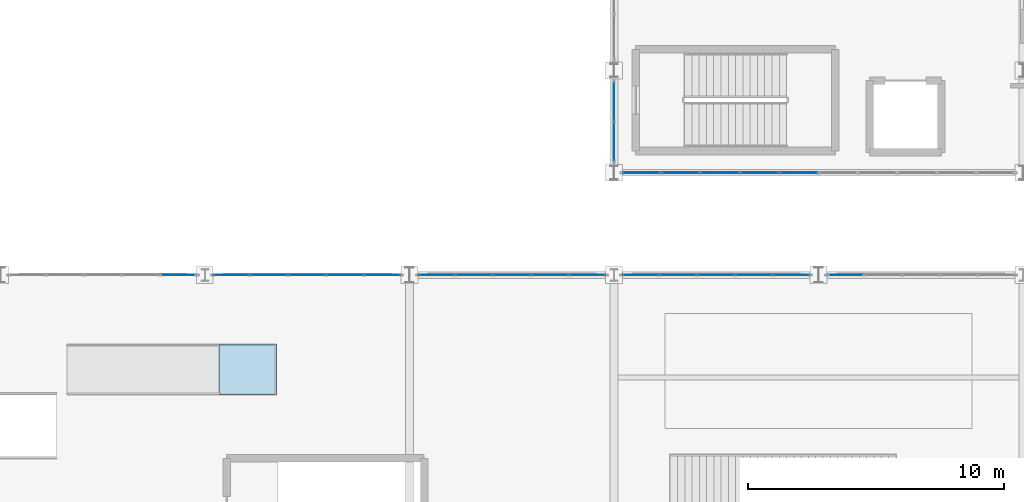
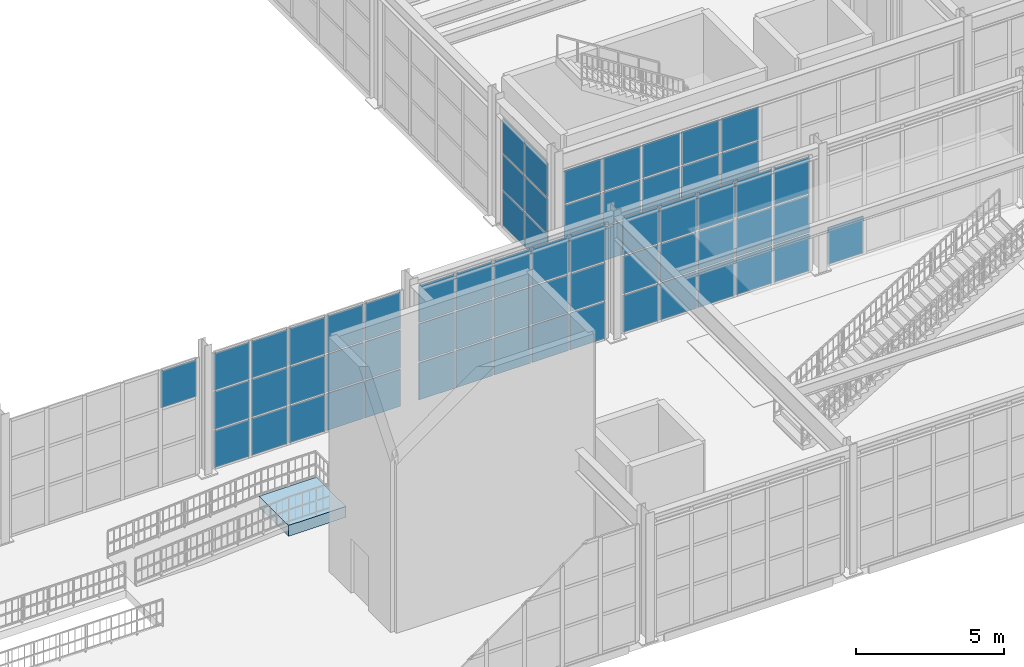
# One storey, part 55 of 82: 68 plates, 1 slab, 7 elements without a shape of their own.
"""IFC4 building model written with IfcOpenShell, lengths in metres."""

from ifc_helpers import new_model, si_unit, direction, frame, origin, origin_2d, place, context, subcontext, project, spatial, polyline, rectangle, outline, extrude, material, layer, layer_set, type_object, element, aggregate, save


model = new_model("IFC4")

# Units and contexts
model_context = context("Model", 3, precision=1e-05, world=origin(), true_north=direction((0.0, 1.0)))
body_context = subcontext(model_context, "Body", "Model", "MODEL_VIEW")
ifc_project = project(units=[si_unit("LENGTHUNIT", "METRE"), si_unit("AREAUNIT", "SQUARE_METRE"), si_unit("VOLUMEUNIT", "CUBIC_METRE"), si_unit("PLANEANGLEUNIT", "RADIAN"), si_unit("MASSUNIT", "GRAM", prefix="KILO")], contexts=[model_context])

# Site, building, storey
site_placement = place(None, origin())
site = spatial("IfcSite", under=ifc_project, at=site_placement, CompositionType="ELEMENT")
building_placement = place(site_placement, origin())
building = spatial("IfcBuilding", under=site, at=building_placement, Name="Serraluz Foothill Cableway Terminal", CompositionType="ELEMENT")
storey_placement = place(building_placement, frame((0.0, 0.0, 9.60009765625)))
storey = spatial("IfcBuildingStorey", under=building, at=storey_placement, Name="L02", CompositionType="ELEMENT", Elevation=9.60009765625)

# Curtain wall, plate
ifc_material_1 = material(Name="Architectural bronze alloy C28000", Category="aluminium")
curtain_wall_type_1 = type_object("IfcCurtainWallType", Name="TYP-CW-640X440", PredefinedType="NOTDEFINED", material=ifc_material_1)
curtain_wall_1_placement = place(storey_placement, origin())
curtain_wall_1 = element("IfcCurtainWall", 1, at=curtain_wall_1_placement, inside=storey, type_object=curtain_wall_type_1, Name="Ribbed Glazed Curtain Wall CW-V1N-L02-56", PredefinedType="NOTDEFINED")
ifc_material_2 = material(Name="Translucent ribbed laminated channel glass", Category="glass")
ifc_layer_1 = layer(ifc_material_2, 0.028076171875, Name="Translucent ribbed laminated channel glass", Category="glass")
ifc_layer_set_1 = layer_set([ifc_layer_1], Name="Translucent ribbed laminated channel glass")
plate_type = type_object("IfcPlateType", Name="TYP-CW-PNL-28", PredefinedType="CURTAIN_PANEL", material=ifc_layer_set_1)
plate_1_placement = place(storey_placement, frame((62.9619140625, 72.0, 3.26318359375), z_axis=(0.0, 0.0, 1.0), x_axis=(1.0, 0.0, 0.0)))
plate_1 = element("IfcPlate", 2, at=plate_1_placement, type_object=plate_type, Name="CW-12 panel 5.3", PredefinedType="CURTAIN_PANEL", context=body_context, shape_type="SweptSolid", body=[
    extrude(rectangle(XDim=1.393310546875, YDim=0.028076171875, at=origin_2d()), origin(), (0.0, 0.0, 1.0), 1.526611328125),
])
aggregate(curtain_wall_1, [plate_1])

# Curtain wall, plates
curtain_wall_type_2 = type_object("IfcCurtainWallType", Name="TYP-CW-680X420", PredefinedType="NOTDEFINED", material=ifc_material_1)
curtain_wall_2_placement = place(storey_placement, origin())
curtain_wall_2 = element("IfcCurtainWall", 3, at=curtain_wall_2_placement, inside=storey, type_object=curtain_wall_type_2, Name="Ribbed Glazed Curtain Wall CW-V1N-L02-64", PredefinedType="NOTDEFINED")
plate_2_placement = place(storey_placement, frame((65.0380859375, 72.0, 0.06005859375), z_axis=(0.0, 0.0, 1.0), x_axis=(1.0, 0.0, 0.0)))
plate_2 = element("IfcPlate", 4, at=plate_2_placement, type_object=plate_type, Name="CW-13 panel 1.1", PredefinedType="CURTAIN_PANEL", context=body_context, shape_type="SweptSolid", body=[
    extrude(rectangle(XDim=1.393310546875, YDim=0.028076171875, at=origin_2d()), origin(), (0.0, 0.0, 1.0), 1.526611328125),
])
plate_3_placement = place(storey_placement, frame((65.0380859375, 72.0, 1.646484375), z_axis=(0.0, 0.0, 1.0), x_axis=(1.0, 0.0, 0.0)))
plate_3 = element("IfcPlate", 5, at=plate_3_placement, type_object=plate_type, Name="CW-13 panel 1.2", PredefinedType="CURTAIN_PANEL", context=body_context, shape_type="SweptSolid", body=[
    extrude(rectangle(XDim=1.393310546875, YDim=0.028076171875, at=origin_2d()), origin(), (0.0, 0.0, 1.0), 1.556640625),
])
plate_4_placement = place(storey_placement, frame((65.0380859375, 72.0, 3.26318359375), z_axis=(0.0, 0.0, 1.0), x_axis=(1.0, 0.0, 0.0)))
plate_4 = element("IfcPlate", 6, at=plate_4_placement, type_object=plate_type, Name="CW-13 panel 1.3", PredefinedType="CURTAIN_PANEL", context=body_context, shape_type="SweptSolid", body=[
    extrude(rectangle(XDim=1.393310546875, YDim=0.028076171875, at=origin_2d()), origin(), (0.0, 0.0, 1.0), 1.526611328125),
])
plate_5_placement = place(storey_placement, frame((66.50634765625, 72.0, 0.06005859375), z_axis=(0.0, 0.0, 1.0), x_axis=(1.0, 0.0, 0.0)))
plate_5 = element("IfcPlate", 7, at=plate_5_placement, type_object=plate_type, Name="CW-13 panel 2.1", PredefinedType="CURTAIN_PANEL", context=body_context, shape_type="SweptSolid", body=[
    extrude(rectangle(XDim=1.423095703125, YDim=0.028076171875, at=origin_2d()), origin(), (0.0, 0.0, 1.0), 1.526611328125),
])
plate_6_placement = place(storey_placement, frame((66.50634765625, 72.0, 1.646484375), z_axis=(0.0, 0.0, 1.0), x_axis=(1.0, 0.0, 0.0)))
plate_6 = element("IfcPlate", 8, at=plate_6_placement, type_object=plate_type, Name="CW-13 panel 2.2", PredefinedType="CURTAIN_PANEL", context=body_context, shape_type="SweptSolid", body=[
    extrude(rectangle(XDim=1.423095703125, YDim=0.028076171875, at=origin_2d()), origin(), (0.0, 0.0, 1.0), 1.556640625),
])
plate_7_placement = place(storey_placement, frame((66.50634765625, 72.0, 3.26318359375), z_axis=(0.0, 0.0, 1.0), x_axis=(1.0, 0.0, 0.0)))
plate_7 = element("IfcPlate", 9, at=plate_7_placement, type_object=plate_type, Name="CW-13 panel 2.3", PredefinedType="CURTAIN_PANEL", context=body_context, shape_type="SweptSolid", body=[
    extrude(rectangle(XDim=1.423095703125, YDim=0.028076171875, at=origin_2d()), origin(), (0.0, 0.0, 1.0), 1.526611328125),
])
plate_8_placement = place(storey_placement, frame((67.989501953125, 72.0, 0.06005859375), z_axis=(0.0, 0.0, 1.0), x_axis=(1.0, 0.0, 0.0)))
plate_8 = element("IfcPlate", 10, at=plate_8_placement, type_object=plate_type, Name="CW-13 panel 3.1", PredefinedType="CURTAIN_PANEL", context=body_context, shape_type="SweptSolid", body=[
    extrude(rectangle(XDim=1.423095703125, YDim=0.028076171875, at=origin_2d()), origin(), (0.0, 0.0, 1.0), 1.526611328125),
])
plate_9_placement = place(storey_placement, frame((67.989501953125, 72.0, 1.646484375), z_axis=(0.0, 0.0, 1.0), x_axis=(1.0, 0.0, 0.0)))
plate_9 = element("IfcPlate", 11, at=plate_9_placement, type_object=plate_type, Name="CW-13 panel 3.2", PredefinedType="CURTAIN_PANEL", context=body_context, shape_type="SweptSolid", body=[
    extrude(rectangle(XDim=1.423095703125, YDim=0.028076171875, at=origin_2d()), origin(), (0.0, 0.0, 1.0), 1.556640625),
])
plate_10_placement = place(storey_placement, frame((67.989501953125, 72.0, 3.26318359375), z_axis=(0.0, 0.0, 1.0), x_axis=(1.0, 0.0, 0.0)))
plate_10 = element("IfcPlate", 12, at=plate_10_placement, type_object=plate_type, Name="CW-13 panel 3.3", PredefinedType="CURTAIN_PANEL", context=body_context, shape_type="SweptSolid", body=[
    extrude(rectangle(XDim=1.423095703125, YDim=0.028076171875, at=origin_2d()), origin(), (0.0, 0.0, 1.0), 1.526611328125),
])
plate_11_placement = place(storey_placement, frame((69.47265625, 72.0, 0.06005859375), z_axis=(0.0, 0.0, 1.0), x_axis=(1.0, 0.0, 0.0)))
plate_11 = element("IfcPlate", 13, at=plate_11_placement, type_object=plate_type, Name="CW-13 panel 4.1", PredefinedType="CURTAIN_PANEL", context=body_context, shape_type="SweptSolid", body=[
    extrude(rectangle(XDim=1.423095703125, YDim=0.028076171875, at=origin_2d()), origin(), (0.0, 0.0, 1.0), 1.526611328125),
])
plate_12_placement = place(storey_placement, frame((69.47265625, 72.0, 1.646484375), z_axis=(0.0, 0.0, 1.0), x_axis=(1.0, 0.0, 0.0)))
plate_12 = element("IfcPlate", 14, at=plate_12_placement, type_object=plate_type, Name="CW-13 panel 4.2", PredefinedType="CURTAIN_PANEL", context=body_context, shape_type="SweptSolid", body=[
    extrude(rectangle(XDim=1.423095703125, YDim=0.028076171875, at=origin_2d()), origin(), (0.0, 0.0, 1.0), 1.556640625),
])
plate_13_placement = place(storey_placement, frame((69.47265625, 72.0, 3.26318359375), z_axis=(0.0, 0.0, 1.0), x_axis=(1.0, 0.0, 0.0)))
plate_13 = element("IfcPlate", 15, at=plate_13_placement, type_object=plate_type, Name="CW-13 panel 4.3", PredefinedType="CURTAIN_PANEL", context=body_context, shape_type="SweptSolid", body=[
    extrude(rectangle(XDim=1.423095703125, YDim=0.028076171875, at=origin_2d()), origin(), (0.0, 0.0, 1.0), 1.526611328125),
])
plate_14_placement = place(storey_placement, frame((70.94091796875, 72.0, 0.06005859375), z_axis=(0.0, 0.0, 1.0), x_axis=(1.0, 0.0, 0.0)))
plate_14 = element("IfcPlate", 16, at=plate_14_placement, type_object=plate_type, Name="CW-13 panel 5.1", PredefinedType="CURTAIN_PANEL", context=body_context, shape_type="SweptSolid", body=[
    extrude(rectangle(XDim=1.393310546875, YDim=0.028076171875, at=origin_2d()), origin(), (0.0, 0.0, 1.0), 1.526611328125),
])
plate_15_placement = place(storey_placement, frame((70.94091796875, 72.0, 1.646484375), z_axis=(0.0, 0.0, 1.0), x_axis=(1.0, 0.0, 0.0)))
plate_15 = element("IfcPlate", 17, at=plate_15_placement, type_object=plate_type, Name="CW-13 panel 5.2", PredefinedType="CURTAIN_PANEL", context=body_context, shape_type="SweptSolid", body=[
    extrude(rectangle(XDim=1.393310546875, YDim=0.028076171875, at=origin_2d()), origin(), (0.0, 0.0, 1.0), 1.556640625),
])
plate_16_placement = place(storey_placement, frame((70.94091796875, 72.0, 3.26318359375), z_axis=(0.0, 0.0, 1.0), x_axis=(1.0, 0.0, 0.0)))
plate_16 = element("IfcPlate", 18, at=plate_16_placement, type_object=plate_type, Name="CW-13 panel 5.3", PredefinedType="CURTAIN_PANEL", context=body_context, shape_type="SweptSolid", body=[
    extrude(rectangle(XDim=1.393310546875, YDim=0.028076171875, at=origin_2d()), origin(), (0.0, 0.0, 1.0), 1.526611328125),
])
aggregate(curtain_wall_2, [plate_2, plate_3, plate_4, plate_5, plate_6, plate_7, plate_8, plate_9, plate_10, plate_11, plate_12, plate_13, plate_14, plate_15, plate_16])

curtain_wall_type_3 = type_object("IfcCurtainWallType", Name="TYP-CW-480X380", PredefinedType="NOTDEFINED", material=ifc_material_1)
curtain_wall_3_placement = place(storey_placement, origin())
curtain_wall_3 = element("IfcCurtainWall", 19, at=curtain_wall_3_placement, inside=storey, type_object=curtain_wall_type_3, Name="Ribbed Glazed Curtain Wall CW-V1N-L02-72", PredefinedType="NOTDEFINED")
plate_17_placement = place(storey_placement, frame((73.05908203125, 72.0, 0.06005859375), z_axis=(0.0, 0.0, 1.0), x_axis=(1.0, 0.0, 0.0)))
plate_17 = element("IfcPlate", 20, at=plate_17_placement, type_object=plate_type, Name="CW-14 panel 1.1", PredefinedType="CURTAIN_PANEL", context=body_context, shape_type="SweptSolid", body=[
    extrude(rectangle(XDim=1.393310546875, YDim=0.028076171875, at=origin_2d()), origin(), (0.0, 0.0, 1.0), 1.526611328125),
])
plate_18_placement = place(storey_placement, frame((73.05908203125, 72.0, 1.646484375), z_axis=(0.0, 0.0, 1.0), x_axis=(1.0, 0.0, 0.0)))
plate_18 = element("IfcPlate", 21, at=plate_18_placement, type_object=plate_type, Name="CW-14 panel 1.2", PredefinedType="CURTAIN_PANEL", context=body_context, shape_type="SweptSolid", body=[
    extrude(rectangle(XDim=1.393310546875, YDim=0.028076171875, at=origin_2d()), origin(), (0.0, 0.0, 1.0), 1.556640625),
])
plate_19_placement = place(storey_placement, frame((73.05908203125, 72.0, 3.26318359375), z_axis=(0.0, 0.0, 1.0), x_axis=(1.0, 0.0, 0.0)))
plate_19 = element("IfcPlate", 22, at=plate_19_placement, type_object=plate_type, Name="CW-14 panel 1.3", PredefinedType="CURTAIN_PANEL", context=body_context, shape_type="SweptSolid", body=[
    extrude(rectangle(XDim=1.393310546875, YDim=0.028076171875, at=origin_2d()), origin(), (0.0, 0.0, 1.0), 1.526611328125),
])
plate_20_placement = place(storey_placement, frame((74.52734375, 72.0, 0.06005859375), z_axis=(0.0, 0.0, 1.0), x_axis=(1.0, 0.0, 0.0)))
plate_20 = element("IfcPlate", 23, at=plate_20_placement, type_object=plate_type, Name="CW-14 panel 2.1", PredefinedType="CURTAIN_PANEL", context=body_context, shape_type="SweptSolid", body=[
    extrude(rectangle(XDim=1.423095703125, YDim=0.028076171875, at=origin_2d()), origin(), (0.0, 0.0, 1.0), 1.526611328125),
])
plate_21_placement = place(storey_placement, frame((74.52734375, 72.0, 1.646484375), z_axis=(0.0, 0.0, 1.0), x_axis=(1.0, 0.0, 0.0)))
plate_21 = element("IfcPlate", 24, at=plate_21_placement, type_object=plate_type, Name="CW-14 panel 2.2", PredefinedType="CURTAIN_PANEL", context=body_context, shape_type="SweptSolid", body=[
    extrude(rectangle(XDim=1.423095703125, YDim=0.028076171875, at=origin_2d()), origin(), (0.0, 0.0, 1.0), 1.556640625),
])
plate_22_placement = place(storey_placement, frame((74.52734375, 72.0, 3.26318359375), z_axis=(0.0, 0.0, 1.0), x_axis=(1.0, 0.0, 0.0)))
plate_22 = element("IfcPlate", 25, at=plate_22_placement, type_object=plate_type, Name="CW-14 panel 2.3", PredefinedType="CURTAIN_PANEL", context=body_context, shape_type="SweptSolid", body=[
    extrude(rectangle(XDim=1.423095703125, YDim=0.028076171875, at=origin_2d()), origin(), (0.0, 0.0, 1.0), 1.526611328125),
])
plate_23_placement = place(storey_placement, frame((76.010498046875, 72.0, 0.06005859375), z_axis=(0.0, 0.0, 1.0), x_axis=(1.0, 0.0, 0.0)))
plate_23 = element("IfcPlate", 26, at=plate_23_placement, type_object=plate_type, Name="CW-14 panel 3.1", PredefinedType="CURTAIN_PANEL", context=body_context, shape_type="SweptSolid", body=[
    extrude(rectangle(XDim=1.423095703125, YDim=0.028076171875, at=origin_2d()), origin(), (0.0, 0.0, 1.0), 1.526611328125),
])
plate_24_placement = place(storey_placement, frame((76.010498046875, 72.0, 1.646484375), z_axis=(0.0, 0.0, 1.0), x_axis=(1.0, 0.0, 0.0)))
plate_24 = element("IfcPlate", 27, at=plate_24_placement, type_object=plate_type, Name="CW-14 panel 3.2", PredefinedType="CURTAIN_PANEL", context=body_context, shape_type="SweptSolid", body=[
    extrude(rectangle(XDim=1.423095703125, YDim=0.028076171875, at=origin_2d()), origin(), (0.0, 0.0, 1.0), 1.556640625),
])
plate_25_placement = place(storey_placement, frame((76.010498046875, 72.0, 3.26318359375), z_axis=(0.0, 0.0, 1.0), x_axis=(1.0, 0.0, 0.0)))
plate_25 = element("IfcPlate", 28, at=plate_25_placement, type_object=plate_type, Name="CW-14 panel 3.3", PredefinedType="CURTAIN_PANEL", context=body_context, shape_type="SweptSolid", body=[
    extrude(rectangle(XDim=1.423095703125, YDim=0.028076171875, at=origin_2d()), origin(), (0.0, 0.0, 1.0), 1.526611328125),
])
plate_26_placement = place(storey_placement, frame((77.49365234375, 72.0, 0.06005859375), z_axis=(0.0, 0.0, 1.0), x_axis=(1.0, 0.0, 0.0)))
plate_26 = element("IfcPlate", 29, at=plate_26_placement, type_object=plate_type, Name="CW-14 panel 4.1", PredefinedType="CURTAIN_PANEL", context=body_context, shape_type="SweptSolid", body=[
    extrude(rectangle(XDim=1.423095703125, YDim=0.028076171875, at=origin_2d()), origin(), (0.0, 0.0, 1.0), 1.526611328125),
])
plate_27_placement = place(storey_placement, frame((77.49365234375, 72.0, 1.646484375), z_axis=(0.0, 0.0, 1.0), x_axis=(1.0, 0.0, 0.0)))
plate_27 = element("IfcPlate", 30, at=plate_27_placement, type_object=plate_type, Name="CW-14 panel 4.2", PredefinedType="CURTAIN_PANEL", context=body_context, shape_type="SweptSolid", body=[
    extrude(rectangle(XDim=1.423095703125, YDim=0.028076171875, at=origin_2d()), origin(), (0.0, 0.0, 1.0), 1.556640625),
])
plate_28_placement = place(storey_placement, frame((77.49365234375, 72.0, 3.26318359375), z_axis=(0.0, 0.0, 1.0), x_axis=(1.0, 0.0, 0.0)))
plate_28 = element("IfcPlate", 31, at=plate_28_placement, type_object=plate_type, Name="CW-14 panel 4.3", PredefinedType="CURTAIN_PANEL", context=body_context, shape_type="SweptSolid", body=[
    extrude(rectangle(XDim=1.423095703125, YDim=0.028076171875, at=origin_2d()), origin(), (0.0, 0.0, 1.0), 1.526611328125),
])
plate_29_placement = place(storey_placement, frame((78.9619140625, 72.0, 0.06005859375), z_axis=(0.0, 0.0, 1.0), x_axis=(1.0, 0.0, 0.0)))
plate_29 = element("IfcPlate", 32, at=plate_29_placement, type_object=plate_type, Name="CW-14 panel 5.1", PredefinedType="CURTAIN_PANEL", context=body_context, shape_type="SweptSolid", body=[
    extrude(rectangle(XDim=1.393310546875, YDim=0.028076171875, at=origin_2d()), origin(), (0.0, 0.0, 1.0), 1.526611328125),
])
plate_30_placement = place(storey_placement, frame((78.9619140625, 72.0, 1.646484375), z_axis=(0.0, 0.0, 1.0), x_axis=(1.0, 0.0, 0.0)))
plate_30 = element("IfcPlate", 33, at=plate_30_placement, type_object=plate_type, Name="CW-14 panel 5.2", PredefinedType="CURTAIN_PANEL", context=body_context, shape_type="SweptSolid", body=[
    extrude(rectangle(XDim=1.393310546875, YDim=0.028076171875, at=origin_2d()), origin(), (0.0, 0.0, 1.0), 1.556640625),
])
plate_31_placement = place(storey_placement, frame((78.9619140625, 72.0, 3.26318359375), z_axis=(0.0, 0.0, 1.0), x_axis=(1.0, 0.0, 0.0)))
plate_31 = element("IfcPlate", 34, at=plate_31_placement, type_object=plate_type, Name="CW-14 panel 5.3", PredefinedType="CURTAIN_PANEL", context=body_context, shape_type="SweptSolid", body=[
    extrude(rectangle(XDim=1.393310546875, YDim=0.028076171875, at=origin_2d()), origin(), (0.0, 0.0, 1.0), 1.526611328125),
])
aggregate(curtain_wall_3, [plate_17, plate_18, plate_19, plate_20, plate_21, plate_22, plate_23, plate_24, plate_25, plate_26, plate_27, plate_28, plate_29, plate_30, plate_31])

curtain_wall_type_4 = type_object("IfcCurtainWallType", Name="TYP-CW-480X420", PredefinedType="NOTDEFINED", material=ifc_material_1)
curtain_wall_4_placement = place(storey_placement, origin())
curtain_wall_4 = element("IfcCurtainWall", 35, at=curtain_wall_4_placement, inside=storey, type_object=curtain_wall_type_4, Name="Ribbed Glazed Curtain Wall CW-V1N-L02-80", PredefinedType="NOTDEFINED")
plate_32_placement = place(storey_placement, frame((81.0380859375, 72.0, 0.06005859375), z_axis=(0.0, 0.0, 1.0), x_axis=(1.0, 0.0, 0.0)))
plate_32 = element("IfcPlate", 36, at=plate_32_placement, type_object=plate_type, Name="CW-15 panel 1.1", PredefinedType="CURTAIN_PANEL", context=body_context, shape_type="SweptSolid", body=[
    extrude(rectangle(XDim=1.393310546875, YDim=0.028076171875, at=origin_2d()), origin(), (0.0, 0.0, 1.0), 1.526611328125),
])
plate_33_placement = place(storey_placement, frame((81.0380859375, 72.0, 1.646484375), z_axis=(0.0, 0.0, 1.0), x_axis=(1.0, 0.0, 0.0)))
plate_33 = element("IfcPlate", 37, at=plate_33_placement, type_object=plate_type, Name="CW-15 panel 1.2", PredefinedType="CURTAIN_PANEL", context=body_context, shape_type="SweptSolid", body=[
    extrude(rectangle(XDim=1.393310546875, YDim=0.028076171875, at=origin_2d()), origin(), (0.0, 0.0, 1.0), 1.556640625),
])
plate_34_placement = place(storey_placement, frame((81.0380859375, 72.0, 3.26318359375), z_axis=(0.0, 0.0, 1.0), x_axis=(1.0, 0.0, 0.0)))
plate_34 = element("IfcPlate", 38, at=plate_34_placement, type_object=plate_type, Name="CW-15 panel 1.3", PredefinedType="CURTAIN_PANEL", context=body_context, shape_type="SweptSolid", body=[
    extrude(rectangle(XDim=1.393310546875, YDim=0.028076171875, at=origin_2d()), origin(), (0.0, 0.0, 1.0), 1.526611328125),
])
plate_35_placement = place(storey_placement, frame((82.50634765625, 72.0, 0.06005859375), z_axis=(0.0, 0.0, 1.0), x_axis=(1.0, 0.0, 0.0)))
plate_35 = element("IfcPlate", 39, at=plate_35_placement, type_object=plate_type, Name="CW-15 panel 2.1", PredefinedType="CURTAIN_PANEL", context=body_context, shape_type="SweptSolid", body=[
    extrude(rectangle(XDim=1.423095703125, YDim=0.028076171875, at=origin_2d()), origin(), (0.0, 0.0, 1.0), 1.526611328125),
])
plate_36_placement = place(storey_placement, frame((82.50634765625, 72.0, 1.646484375), z_axis=(0.0, 0.0, 1.0), x_axis=(1.0, 0.0, 0.0)))
plate_36 = element("IfcPlate", 40, at=plate_36_placement, type_object=plate_type, Name="CW-15 panel 2.2", PredefinedType="CURTAIN_PANEL", context=body_context, shape_type="SweptSolid", body=[
    extrude(rectangle(XDim=1.423095703125, YDim=0.028076171875, at=origin_2d()), origin(), (0.0, 0.0, 1.0), 1.556640625),
])
plate_37_placement = place(storey_placement, frame((82.50634765625, 72.0, 3.26318359375), z_axis=(0.0, 0.0, 1.0), x_axis=(1.0, 0.0, 0.0)))
plate_37 = element("IfcPlate", 41, at=plate_37_placement, type_object=plate_type, Name="CW-15 panel 2.3", PredefinedType="CURTAIN_PANEL", context=body_context, shape_type="SweptSolid", body=[
    extrude(rectangle(XDim=1.423095703125, YDim=0.028076171875, at=origin_2d()), origin(), (0.0, 0.0, 1.0), 1.526611328125),
])
plate_38_placement = place(storey_placement, frame((83.989501953125, 72.0, 0.06005859375), z_axis=(0.0, 0.0, 1.0), x_axis=(1.0, 0.0, 0.0)))
plate_38 = element("IfcPlate", 42, at=plate_38_placement, type_object=plate_type, Name="CW-15 panel 3.1", PredefinedType="CURTAIN_PANEL", context=body_context, shape_type="SweptSolid", body=[
    extrude(rectangle(XDim=1.423095703125, YDim=0.028076171875, at=origin_2d()), origin(), (0.0, 0.0, 1.0), 1.526611328125),
])
plate_39_placement = place(storey_placement, frame((83.989501953125, 72.0, 1.646484375), z_axis=(0.0, 0.0, 1.0), x_axis=(1.0, 0.0, 0.0)))
plate_39 = element("IfcPlate", 43, at=plate_39_placement, type_object=plate_type, Name="CW-15 panel 3.2", PredefinedType="CURTAIN_PANEL", context=body_context, shape_type="SweptSolid", body=[
    extrude(rectangle(XDim=1.423095703125, YDim=0.028076171875, at=origin_2d()), origin(), (0.0, 0.0, 1.0), 1.556640625),
])
plate_40_placement = place(storey_placement, frame((83.989501953125, 72.0, 3.26318359375), z_axis=(0.0, 0.0, 1.0), x_axis=(1.0, 0.0, 0.0)))
plate_40 = element("IfcPlate", 44, at=plate_40_placement, type_object=plate_type, Name="CW-15 panel 3.3", PredefinedType="CURTAIN_PANEL", context=body_context, shape_type="SweptSolid", body=[
    extrude(rectangle(XDim=1.423095703125, YDim=0.028076171875, at=origin_2d()), origin(), (0.0, 0.0, 1.0), 1.526611328125),
])
plate_41_placement = place(storey_placement, frame((85.47265625, 72.0, 0.06005859375), z_axis=(0.0, 0.0, 1.0), x_axis=(1.0, 0.0, 0.0)))
plate_41 = element("IfcPlate", 45, at=plate_41_placement, type_object=plate_type, Name="CW-15 panel 4.1", PredefinedType="CURTAIN_PANEL", context=body_context, shape_type="SweptSolid", body=[
    extrude(rectangle(XDim=1.423095703125, YDim=0.028076171875, at=origin_2d()), origin(), (0.0, 0.0, 1.0), 1.526611328125),
])
plate_42_placement = place(storey_placement, frame((85.47265625, 72.0, 1.646484375), z_axis=(0.0, 0.0, 1.0), x_axis=(1.0, 0.0, 0.0)))
plate_42 = element("IfcPlate", 46, at=plate_42_placement, type_object=plate_type, Name="CW-15 panel 4.2", PredefinedType="CURTAIN_PANEL", context=body_context, shape_type="SweptSolid", body=[
    extrude(rectangle(XDim=1.423095703125, YDim=0.028076171875, at=origin_2d()), origin(), (0.0, 0.0, 1.0), 1.556640625),
])
plate_43_placement = place(storey_placement, frame((85.47265625, 72.0, 3.26318359375), z_axis=(0.0, 0.0, 1.0), x_axis=(1.0, 0.0, 0.0)))
plate_43 = element("IfcPlate", 47, at=plate_43_placement, type_object=plate_type, Name="CW-15 panel 4.3", PredefinedType="CURTAIN_PANEL", context=body_context, shape_type="SweptSolid", body=[
    extrude(rectangle(XDim=1.423095703125, YDim=0.028076171875, at=origin_2d()), origin(), (0.0, 0.0, 1.0), 1.526611328125),
])
plate_44_placement = place(storey_placement, frame((86.94091796875, 72.0, 0.06005859375), z_axis=(0.0, 0.0, 1.0), x_axis=(1.0, 0.0, 0.0)))
plate_44 = element("IfcPlate", 48, at=plate_44_placement, type_object=plate_type, Name="CW-15 panel 5.1", PredefinedType="CURTAIN_PANEL", context=body_context, shape_type="SweptSolid", body=[
    extrude(rectangle(XDim=1.393310546875, YDim=0.028076171875, at=origin_2d()), origin(), (0.0, 0.0, 1.0), 1.526611328125),
])
plate_45_placement = place(storey_placement, frame((86.94091796875, 72.0, 1.646484375), z_axis=(0.0, 0.0, 1.0), x_axis=(1.0, 0.0, 0.0)))
plate_45 = element("IfcPlate", 49, at=plate_45_placement, type_object=plate_type, Name="CW-15 panel 5.2", PredefinedType="CURTAIN_PANEL", context=body_context, shape_type="SweptSolid", body=[
    extrude(rectangle(XDim=1.393310546875, YDim=0.028076171875, at=origin_2d()), origin(), (0.0, 0.0, 1.0), 1.556640625),
])
plate_46_placement = place(storey_placement, frame((86.94091796875, 72.0, 3.26318359375), z_axis=(0.0, 0.0, 1.0), x_axis=(1.0, 0.0, 0.0)))
plate_46 = element("IfcPlate", 50, at=plate_46_placement, type_object=plate_type, Name="CW-15 panel 5.3", PredefinedType="CURTAIN_PANEL", context=body_context, shape_type="SweptSolid", body=[
    extrude(rectangle(XDim=1.393310546875, YDim=0.028076171875, at=origin_2d()), origin(), (0.0, 0.0, 1.0), 1.526611328125),
])
aggregate(curtain_wall_4, [plate_32, plate_33, plate_34, plate_35, plate_36, plate_37, plate_38, plate_39, plate_40, plate_41, plate_42, plate_43, plate_44, plate_45, plate_46])

# Curtain wall, plate
curtain_wall_type_5 = type_object("IfcCurtainWallType", Name="TYP-CW-440X360", PredefinedType="NOTDEFINED", material=ifc_material_1)
curtain_wall_5_placement = place(storey_placement, origin())
curtain_wall_5 = element("IfcCurtainWall", 51, at=curtain_wall_5_placement, inside=storey, type_object=curtain_wall_type_5, Name="Ribbed Glazed Curtain Wall CW-V1N-L02-88", PredefinedType="NOTDEFINED")
plate_47_placement = place(storey_placement, frame((89.05908203125, 72.0, 0.06005859375), z_axis=(0.0, 0.0, 1.0), x_axis=(1.0, 0.0, 0.0)))
plate_47 = element("IfcPlate", 52, at=plate_47_placement, type_object=plate_type, Name="CW-16 panel 1.1", PredefinedType="CURTAIN_PANEL", context=body_context, shape_type="SweptSolid", body=[
    extrude(rectangle(XDim=1.393310546875, YDim=0.028076171875, at=origin_2d()), origin(), (0.0, 0.0, 1.0), 1.526611328125),
])
aggregate(curtain_wall_5, [plate_47])

# Curtain wall, plates
curtain_wall_6_placement = place(storey_placement, origin())
curtain_wall_6 = element("IfcCurtainWall", 53, at=curtain_wall_6_placement, inside=storey, type_object=curtain_wall_type_2, Name="Ribbed Glazed Curtain Wall CW-V4S-L02-80", PredefinedType="NOTDEFINED")
plate_48_placement = place(storey_placement, frame((87.2294921875, 76.0, 0.059814453125), z_axis=(0.0, 0.0, 1.0), x_axis=(-1.0, 0.0, 0.0)))
plate_48 = element("IfcPlate", 54, at=plate_48_placement, type_object=plate_type, Name="CW-13 panel 6.1", PredefinedType="CURTAIN_PANEL", context=body_context, shape_type="SweptSolid", body=[
    extrude(rectangle(XDim=1.480712890625, YDim=0.028076171875, at=origin_2d()), origin(), (0.0, 0.0, 1.0), 1.3701171875),
])
plate_49_placement = place(storey_placement, frame((87.2294921875, 76.0, 1.489990234375), z_axis=(0.0, 0.0, 1.0), x_axis=(-1.0, 0.0, 0.0)))
plate_49 = element("IfcPlate", 55, at=plate_49_placement, type_object=plate_type, Name="CW-13 panel 6.2", PredefinedType="CURTAIN_PANEL", context=body_context, shape_type="SweptSolid", body=[
    extrude(rectangle(XDim=1.480712890625, YDim=0.028076171875, at=origin_2d()), origin(), (0.0, 0.0, 1.0), 1.39990234375),
])
plate_50_placement = place(storey_placement, frame((87.2294921875, 76.0, 2.949951171875), z_axis=(0.0, 0.0, 1.0), x_axis=(-1.0, 0.0, 0.0)))
plate_50 = element("IfcPlate", 56, at=plate_50_placement, type_object=plate_type, Name="CW-13 panel 6.3", PredefinedType="CURTAIN_PANEL", context=body_context, shape_type="SweptSolid", body=[
    extrude(rectangle(XDim=1.480712890625, YDim=0.028076171875, at=origin_2d()), origin(), (0.0, 0.0, 1.0), 1.3701171875),
])
plate_51_placement = place(storey_placement, frame((85.688720703125, 76.0, 0.059814453125), z_axis=(0.0, 0.0, 1.0), x_axis=(-1.0, 0.0, 0.0)))
plate_51 = element("IfcPlate", 57, at=plate_51_placement, type_object=plate_type, Name="CW-13 panel 7.1", PredefinedType="CURTAIN_PANEL", context=body_context, shape_type="SweptSolid", body=[
    extrude(rectangle(XDim=1.480712890625, YDim=0.028076171875, at=origin_2d()), origin(), (0.0, 0.0, 1.0), 1.3701171875),
])
plate_52_placement = place(storey_placement, frame((85.688720703125, 76.0, 1.489990234375), z_axis=(0.0, 0.0, 1.0), x_axis=(-1.0, 0.0, 0.0)))
plate_52 = element("IfcPlate", 58, at=plate_52_placement, type_object=plate_type, Name="CW-13 panel 7.2", PredefinedType="CURTAIN_PANEL", context=body_context, shape_type="SweptSolid", body=[
    extrude(rectangle(XDim=1.480712890625, YDim=0.028076171875, at=origin_2d()), origin(), (0.0, 0.0, 1.0), 1.39990234375),
])
plate_53_placement = place(storey_placement, frame((85.688720703125, 76.0, 2.949951171875), z_axis=(0.0, 0.0, 1.0), x_axis=(-1.0, 0.0, 0.0)))
plate_53 = element("IfcPlate", 59, at=plate_53_placement, type_object=plate_type, Name="CW-13 panel 7.3", PredefinedType="CURTAIN_PANEL", context=body_context, shape_type="SweptSolid", body=[
    extrude(rectangle(XDim=1.480712890625, YDim=0.028076171875, at=origin_2d()), origin(), (0.0, 0.0, 1.0), 1.3701171875),
])
plate_54_placement = place(storey_placement, frame((84.14794921875, 76.0, 0.059814453125), z_axis=(0.0, 0.0, 1.0), x_axis=(-1.0, 0.0, 0.0)))
plate_54 = element("IfcPlate", 60, at=plate_54_placement, type_object=plate_type, Name="CW-13 panel 8.1", PredefinedType="CURTAIN_PANEL", context=body_context, shape_type="SweptSolid", body=[
    extrude(rectangle(XDim=1.480712890625, YDim=0.028076171875, at=origin_2d()), origin(), (0.0, 0.0, 1.0), 1.3701171875),
])
plate_55_placement = place(storey_placement, frame((84.14794921875, 76.0, 1.489990234375), z_axis=(0.0, 0.0, 1.0), x_axis=(-1.0, 0.0, 0.0)))
plate_55 = element("IfcPlate", 61, at=plate_55_placement, type_object=plate_type, Name="CW-13 panel 8.2", PredefinedType="CURTAIN_PANEL", context=body_context, shape_type="SweptSolid", body=[
    extrude(rectangle(XDim=1.480712890625, YDim=0.028076171875, at=origin_2d()), origin(), (0.0, 0.0, 1.0), 1.39990234375),
])
plate_56_placement = place(storey_placement, frame((84.14794921875, 76.0, 2.949951171875), z_axis=(0.0, 0.0, 1.0), x_axis=(-1.0, 0.0, 0.0)))
plate_56 = element("IfcPlate", 62, at=plate_56_placement, type_object=plate_type, Name="CW-13 panel 8.3", PredefinedType="CURTAIN_PANEL", context=body_context, shape_type="SweptSolid", body=[
    extrude(rectangle(XDim=1.480712890625, YDim=0.028076171875, at=origin_2d()), origin(), (0.0, 0.0, 1.0), 1.3701171875),
])
plate_57_placement = place(storey_placement, frame((82.607177734375, 76.0, 0.059814453125), z_axis=(0.0, 0.0, 1.0), x_axis=(-1.0, 0.0, 0.0)))
plate_57 = element("IfcPlate", 63, at=plate_57_placement, type_object=plate_type, Name="CW-13 panel 9.1", PredefinedType="CURTAIN_PANEL", context=body_context, shape_type="SweptSolid", body=[
    extrude(rectangle(XDim=1.480712890625, YDim=0.028076171875, at=origin_2d()), origin(), (0.0, 0.0, 1.0), 1.3701171875),
])
plate_58_placement = place(storey_placement, frame((82.607177734375, 76.0, 1.489990234375), z_axis=(0.0, 0.0, 1.0), x_axis=(-1.0, 0.0, 0.0)))
plate_58 = element("IfcPlate", 64, at=plate_58_placement, type_object=plate_type, Name="CW-13 panel 9.2", PredefinedType="CURTAIN_PANEL", context=body_context, shape_type="SweptSolid", body=[
    extrude(rectangle(XDim=1.480712890625, YDim=0.028076171875, at=origin_2d()), origin(), (0.0, 0.0, 1.0), 1.39990234375),
])
plate_59_placement = place(storey_placement, frame((82.607177734375, 76.0, 2.949951171875), z_axis=(0.0, 0.0, 1.0), x_axis=(-1.0, 0.0, 0.0)))
plate_59 = element("IfcPlate", 65, at=plate_59_placement, type_object=plate_type, Name="CW-13 panel 9.3", PredefinedType="CURTAIN_PANEL", context=body_context, shape_type="SweptSolid", body=[
    extrude(rectangle(XDim=1.480712890625, YDim=0.028076171875, at=origin_2d()), origin(), (0.0, 0.0, 1.0), 1.3701171875),
])
plate_60_placement = place(storey_placement, frame((81.081298828125, 76.0, 0.059814453125), z_axis=(0.0, 0.0, 1.0), x_axis=(-1.0, 0.0, 0.0)))
plate_60 = element("IfcPlate", 66, at=plate_60_placement, type_object=plate_type, Name="CW-13 panel 10.1", PredefinedType="CURTAIN_PANEL", context=body_context, shape_type="SweptSolid", body=[
    extrude(rectangle(XDim=1.45068359375, YDim=0.028076171875, at=origin_2d()), origin(), (0.0, 0.0, 1.0), 1.3701171875),
])
plate_61_placement = place(storey_placement, frame((81.081298828125, 76.0, 1.489990234375), z_axis=(0.0, 0.0, 1.0), x_axis=(-1.0, 0.0, 0.0)))
plate_61 = element("IfcPlate", 67, at=plate_61_placement, type_object=plate_type, Name="CW-13 panel 10.2", PredefinedType="CURTAIN_PANEL", context=body_context, shape_type="SweptSolid", body=[
    extrude(rectangle(XDim=1.45068359375, YDim=0.028076171875, at=origin_2d()), origin(), (0.0, 0.0, 1.0), 1.39990234375),
])
plate_62_placement = place(storey_placement, frame((81.081298828125, 76.0, 2.949951171875), z_axis=(0.0, 0.0, 1.0), x_axis=(-1.0, 0.0, 0.0)))
plate_62 = element("IfcPlate", 68, at=plate_62_placement, type_object=plate_type, Name="CW-13 panel 10.3", PredefinedType="CURTAIN_PANEL", context=body_context, shape_type="SweptSolid", body=[
    extrude(rectangle(XDim=1.45068359375, YDim=0.028076171875, at=origin_2d()), origin(), (0.0, 0.0, 1.0), 1.3701171875),
])
aggregate(curtain_wall_6, [plate_48, plate_49, plate_50, plate_51, plate_52, plate_53, plate_54, plate_55, plate_56, plate_57, plate_58, plate_59, plate_60, plate_61, plate_62])

curtain_wall_7_placement = place(storey_placement, origin())
curtain_wall_7 = element("IfcCurtainWall", 69, at=curtain_wall_7_placement, inside=storey, type_object=curtain_wall_type_2, Name="Ribbed Glazed Curtain Wall CW-V4W-L02-76", PredefinedType="NOTDEFINED")
plate_63_placement = place(storey_placement, frame((80.0, 77.220703125, 0.059814453125), z_axis=(0.0, 0.0, 1.0), x_axis=(0.0, 1.0, 0.0)))
plate_63 = element("IfcPlate", 70, at=plate_63_placement, type_object=plate_type, Name="CW-13 panel 1.1", PredefinedType="CURTAIN_PANEL", context=body_context, shape_type="SweptSolid", body=[
    extrude(rectangle(XDim=1.49853515625, YDim=0.028076171875, at=origin_2d()), origin(), (0.0, 0.0, 1.0), 1.42138671875),
])
plate_64_placement = place(storey_placement, frame((80.0, 77.220703125, 1.541015625), z_axis=(0.0, 0.0, 1.0), x_axis=(0.0, 1.0, 0.0)))
plate_64 = element("IfcPlate", 71, at=plate_64_placement, type_object=plate_type, Name="CW-13 panel 1.2", PredefinedType="CURTAIN_PANEL", context=body_context, shape_type="SweptSolid", body=[
    extrude(rectangle(XDim=1.49853515625, YDim=0.028076171875, at=origin_2d()), origin(), (0.0, 0.0, 1.0), 1.451416015625),
])
plate_65_placement = place(storey_placement, frame((80.0, 77.220703125, 3.052490234375), z_axis=(0.0, 0.0, 1.0), x_axis=(0.0, 1.0, 0.0)))
plate_65 = element("IfcPlate", 72, at=plate_65_placement, type_object=plate_type, Name="CW-13 panel 1.3", PredefinedType="CURTAIN_PANEL", context=body_context, shape_type="SweptSolid", body=[
    extrude(rectangle(XDim=1.49853515625, YDim=0.028076171875, at=origin_2d()), origin(), (0.0, 0.0, 1.0), 1.42138671875),
])
plate_66_placement = place(storey_placement, frame((80.0, 78.779296875, 0.059814453125), z_axis=(0.0, 0.0, 1.0), x_axis=(0.0, 1.0, 0.0)))
plate_66 = element("IfcPlate", 73, at=plate_66_placement, type_object=plate_type, Name="CW-13 panel 2.1", PredefinedType="CURTAIN_PANEL", context=body_context, shape_type="SweptSolid", body=[
    extrude(rectangle(XDim=1.49853515625, YDim=0.028076171875, at=origin_2d()), origin(), (0.0, 0.0, 1.0), 1.42138671875),
])
plate_67_placement = place(storey_placement, frame((80.0, 78.779296875, 1.541015625), z_axis=(0.0, 0.0, 1.0), x_axis=(0.0, 1.0, 0.0)))
plate_67 = element("IfcPlate", 74, at=plate_67_placement, type_object=plate_type, Name="CW-13 panel 2.2", PredefinedType="CURTAIN_PANEL", context=body_context, shape_type="SweptSolid", body=[
    extrude(rectangle(XDim=1.49853515625, YDim=0.028076171875, at=origin_2d()), origin(), (0.0, 0.0, 1.0), 1.451416015625),
])
plate_68_placement = place(storey_placement, frame((80.0, 78.779296875, 3.052490234375), z_axis=(0.0, 0.0, 1.0), x_axis=(0.0, 1.0, 0.0)))
plate_68 = element("IfcPlate", 75, at=plate_68_placement, type_object=plate_type, Name="CW-13 panel 2.3", PredefinedType="CURTAIN_PANEL", context=body_context, shape_type="SweptSolid", body=[
    extrude(rectangle(XDim=1.49853515625, YDim=0.028076171875, at=origin_2d()), origin(), (0.0, 0.0, 1.0), 1.42138671875),
])
aggregate(curtain_wall_7, [plate_63, plate_64, plate_65, plate_66, plate_67, plate_68])

# Slab
ifc_material_3 = material(Name="Concrete C35/45 (f'c 35 MPa)", Category="concrete")
ifc_layer_2 = layer(ifc_material_3, 0.300048828125, Name="Concrete C35/45 (f'c 35 MPa)", Category="concrete")
ifc_layer_set_2 = layer_set([ifc_layer_2], Name="Concrete C35/45 (f'c 35 MPa)")
slab_type = type_object("IfcSlabType", Name="TYP-SLB-FLR-300", PredefinedType="FLOOR", material=ifc_layer_set_2)
slab_placement = place(storey_placement, origin())
element("IfcSlab", 76, at=slab_placement, inside=storey, type_object=slab_type, Name="Ramp Arrival Plinth RMP-05", PredefinedType="FLOOR", context=body_context, shape_type="SweptSolid", body=[
    extrude(outline(polyline([(64.550048828125, 67.300048828125), (66.800048828125, 67.300048828125), (66.800048828125, 69.300048828125), (64.550048828125, 69.300048828125), (64.550048828125, 67.300048828125)])), origin(), (0.0, 0.0, 1.0), 0.449951171875),
])

save(model, "model.ifc")
